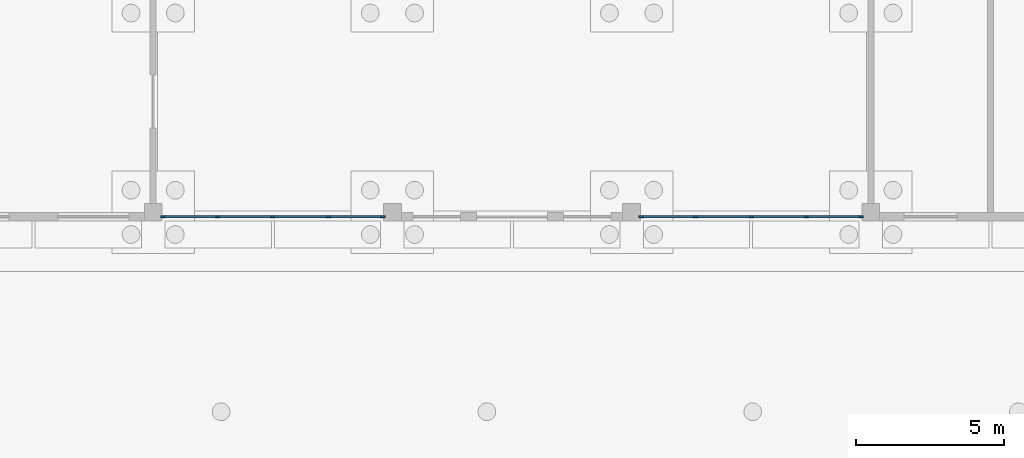
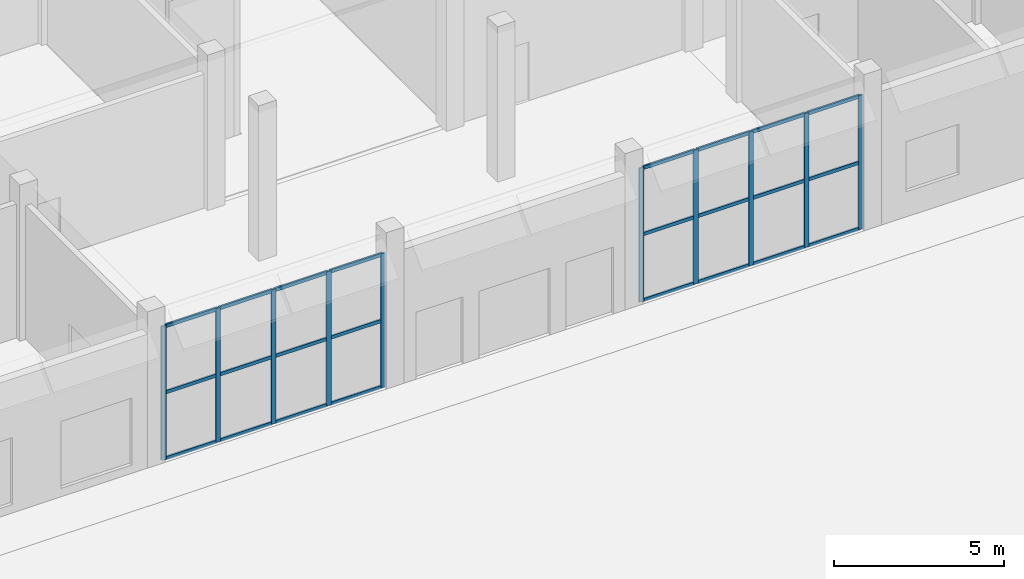
# One storey, part 11 of 44: 34 members, 2 elements without a shape of their own.
"""IFC4 building model written with IfcOpenShell, lengths in metres."""

from ifc_helpers import new_model, si_unit, direction, frame, origin, origin_2d, place, context, subcontext, project, spatial, rectangle, extrude, material, material_profile, profile_set, type_object, element, aggregate, save


model = new_model("IFC4")

# Units and contexts
model_context = context("Model", 3, precision=1e-05, world=origin(), true_north=direction((0.0, 1.0)))
body_context = subcontext(model_context, "Body", "Model", "MODEL_VIEW")
ifc_project = project(units=[si_unit("LENGTHUNIT", "METRE"), si_unit("AREAUNIT", "SQUARE_METRE"), si_unit("VOLUMEUNIT", "CUBIC_METRE"), si_unit("PLANEANGLEUNIT", "RADIAN"), si_unit("MASSUNIT", "GRAM", prefix="KILO")], contexts=[model_context])

# Site, building, storey
site_placement = place(None, origin())
site = spatial("IfcSite", under=ifc_project, at=site_placement, CompositionType="ELEMENT")
building_placement = place(site_placement, origin())
building = spatial("IfcBuilding", under=site, at=building_placement, Name="Frailejon Research Tower", CompositionType="ELEMENT")
storey_placement = place(building_placement, origin())
storey = spatial("IfcBuildingStorey", under=building, at=storey_placement, Name="L00", CompositionType="ELEMENT", Elevation=0.0)

# Curtain wall, members
ifc_material_1 = material(Name="Aluminium curtain wall", Category="aluminium")
curtain_wall_type = type_object("IfcCurtainWallType", Name="HC curtain wall system", PredefinedType="NOTDEFINED", material=ifc_material_1)
curtain_wall_1_placement = place(storey_placement, origin())
curtain_wall_1 = element("IfcCurtainWall", 1, at=curtain_wall_1_placement, inside=storey, type_object=curtain_wall_type, Name="HC curtain wall", PredefinedType="NOTDEFINED")
ifc_material_2 = material(Name="Aluminium extrusion", Category="aluminium")
ifc_material_profile_1 = material_profile(ifc_material_2, rectangle(XDim=0.06005859375, YDim=0.159912109375, at=origin_2d()), Name="HC curtain wall mullion 60x160")
ifc_profile_set_1 = profile_set([ifc_material_profile_1], Name="Aluminium extrusion")
member_type_1 = type_object("IfcMemberType", Name="HC curtain wall mullion 60x160", PredefinedType="MULLION", material=ifc_profile_set_1)
member_1_placement = place(storey_placement, frame((61.030029296875, -20.39990234375, 0.0), z_axis=(0.0, 0.0, 1.0), x_axis=(0.0, 1.0, 0.0)))
member_1 = element("IfcMember", 2, at=member_1_placement, type_object=member_type_1, Name="HCW1 mullion 1", PredefinedType="MULLION", context=body_context, shape_type="SweptSolid", body=[
    extrude(rectangle(XDim=0.06005859375, YDim=0.159912109375, at=origin_2d()), origin(), (0.0, 0.0, 1.0), 4.800048828125),
])
member_2_placement = place(storey_placement, frame((62.875, -20.39990234375, 0.0), z_axis=(0.0, 0.0, 1.0), x_axis=(0.0, 1.0, 0.0)))
member_2 = element("IfcMember", 3, at=member_2_placement, type_object=member_type_1, Name="HCW1 mullion 2", PredefinedType="MULLION", context=body_context, shape_type="SweptSolid", body=[
    extrude(rectangle(XDim=0.06005859375, YDim=0.159912109375, at=origin_2d()), origin(), (0.0, 0.0, 1.0), 4.800048828125),
])
member_3_placement = place(storey_placement, frame((64.75, -20.39990234375, 0.0), z_axis=(0.0, 0.0, 1.0), x_axis=(0.0, 1.0, 0.0)))
member_3 = element("IfcMember", 4, at=member_3_placement, type_object=member_type_1, Name="HCW1 mullion 3", PredefinedType="MULLION", context=body_context, shape_type="SweptSolid", body=[
    extrude(rectangle(XDim=0.06005859375, YDim=0.159912109375, at=origin_2d()), origin(), (0.0, 0.0, 1.0), 4.800048828125),
])
member_4_placement = place(storey_placement, frame((66.625, -20.39990234375, 0.0), z_axis=(0.0, 0.0, 1.0), x_axis=(0.0, 1.0, 0.0)))
member_4 = element("IfcMember", 5, at=member_4_placement, type_object=member_type_1, Name="HCW1 mullion 4", PredefinedType="MULLION", context=body_context, shape_type="SweptSolid", body=[
    extrude(rectangle(XDim=0.06005859375, YDim=0.159912109375, at=origin_2d()), origin(), (0.0, 0.0, 1.0), 4.800048828125),
])
member_5_placement = place(storey_placement, frame((68.469970703125, -20.39990234375, 0.0), z_axis=(0.0, 0.0, 1.0), x_axis=(0.0, 1.0, 0.0)))
member_5 = element("IfcMember", 6, at=member_5_placement, type_object=member_type_1, Name="HCW1 mullion 5", PredefinedType="MULLION", context=body_context, shape_type="SweptSolid", body=[
    extrude(rectangle(XDim=0.06005859375, YDim=0.159912109375, at=origin_2d()), origin(), (0.0, 0.0, 1.0), 4.800048828125),
])

curtain_wall_2_placement = place(storey_placement, origin())
curtain_wall_2 = element("IfcCurtainWall", 7, at=curtain_wall_2_placement, inside=storey, type_object=curtain_wall_type, Name="HC curtain wall", PredefinedType="NOTDEFINED")
member_6_placement = place(storey_placement, frame((77.22998046875, -20.39990234375, 0.0), z_axis=(0.0, 0.0, 1.0), x_axis=(0.0, 1.0, 0.0)))
member_6 = element("IfcMember", 8, at=member_6_placement, type_object=member_type_1, Name="HCW1 mullion 1", PredefinedType="MULLION", context=body_context, shape_type="SweptSolid", body=[
    extrude(rectangle(XDim=0.06005859375, YDim=0.159912109375, at=origin_2d()), origin(), (0.0, 0.0, 1.0), 4.800048828125),
])
member_7_placement = place(storey_placement, frame((79.074951171875, -20.39990234375, 0.0), z_axis=(0.0, 0.0, 1.0), x_axis=(0.0, 1.0, 0.0)))
member_7 = element("IfcMember", 9, at=member_7_placement, type_object=member_type_1, Name="HCW1 mullion 2", PredefinedType="MULLION", context=body_context, shape_type="SweptSolid", body=[
    extrude(rectangle(XDim=0.06005859375, YDim=0.159912109375, at=origin_2d()), origin(), (0.0, 0.0, 1.0), 4.800048828125),
])
member_8_placement = place(storey_placement, frame((80.949951171875, -20.39990234375, 0.0), z_axis=(0.0, 0.0, 1.0), x_axis=(0.0, 1.0, 0.0)))
member_8 = element("IfcMember", 10, at=member_8_placement, type_object=member_type_1, Name="HCW1 mullion 3", PredefinedType="MULLION", context=body_context, shape_type="SweptSolid", body=[
    extrude(rectangle(XDim=0.06005859375, YDim=0.159912109375, at=origin_2d()), origin(), (0.0, 0.0, 1.0), 4.800048828125),
])
member_9_placement = place(storey_placement, frame((82.824951171875, -20.39990234375, 0.0), z_axis=(0.0, 0.0, 1.0), x_axis=(0.0, 1.0, 0.0)))
member_9 = element("IfcMember", 11, at=member_9_placement, type_object=member_type_1, Name="HCW1 mullion 4", PredefinedType="MULLION", context=body_context, shape_type="SweptSolid", body=[
    extrude(rectangle(XDim=0.06005859375, YDim=0.159912109375, at=origin_2d()), origin(), (0.0, 0.0, 1.0), 4.800048828125),
])
member_10_placement = place(storey_placement, frame((84.669921875, -20.39990234375, 0.0), z_axis=(0.0, 0.0, 1.0), x_axis=(0.0, 1.0, 0.0)))
member_10 = element("IfcMember", 12, at=member_10_placement, type_object=member_type_1, Name="HCW1 mullion 5", PredefinedType="MULLION", context=body_context, shape_type="SweptSolid", body=[
    extrude(rectangle(XDim=0.06005859375, YDim=0.159912109375, at=origin_2d()), origin(), (0.0, 0.0, 1.0), 4.800048828125),
])

# Member
ifc_material_3 = material(Name="Aluminium extrusion", Category="aluminium")
ifc_material_profile_2 = material_profile(ifc_material_3, rectangle(XDim=0.06005859375, YDim=0.1201171875, at=origin_2d()), Name="HC curtain wall transom 60x120")
ifc_profile_set_2 = profile_set([ifc_material_profile_2], Name="Aluminium extrusion")
member_type_2 = type_object("IfcMemberType", Name="HC curtain wall transom 60x120", PredefinedType="USERDEFINED", material=ifc_profile_set_2)
member_11_placement = place(storey_placement, frame((61.06005859375, -20.39990234375, 0.030029296875), z_axis=(1.0, 0.0, 0.0), x_axis=(0.0, 1.0, 0.0)))
member_11 = element("IfcMember", 13, at=member_11_placement, type_object=member_type_2, Name="HCW1 transom 1.1", ObjectType="TRANSOM", PredefinedType="USERDEFINED", context=body_context, shape_type="SweptSolid", body=[
    extrude(rectangle(XDim=0.06005859375, YDim=0.1201171875, at=origin_2d()), origin(), (0.0, 0.0, 1.0), 1.784912109375),
])

member_12_placement = place(storey_placement, frame((61.06005859375, -20.39990234375, 2.39990234375), z_axis=(1.0, 0.0, 0.0), x_axis=(0.0, 1.0, 0.0)))
member_12 = element("IfcMember", 14, at=member_12_placement, type_object=member_type_2, Name="HCW1 transom 1.2", ObjectType="TRANSOM", PredefinedType="USERDEFINED", context=body_context, shape_type="SweptSolid", body=[
    extrude(rectangle(XDim=0.06005859375, YDim=0.1201171875, at=origin_2d()), origin(), (0.0, 0.0, 1.0), 1.784912109375),
])

member_13_placement = place(storey_placement, frame((61.06005859375, -20.39990234375, 4.77001953125), z_axis=(1.0, 0.0, 0.0), x_axis=(0.0, 1.0, 0.0)))
member_13 = element("IfcMember", 15, at=member_13_placement, type_object=member_type_2, Name="HCW1 transom 1.3", ObjectType="TRANSOM", PredefinedType="USERDEFINED", context=body_context, shape_type="SweptSolid", body=[
    extrude(rectangle(XDim=0.06005859375, YDim=0.1201171875, at=origin_2d()), origin(), (0.0, 0.0, 1.0), 1.784912109375),
])

member_14_placement = place(storey_placement, frame((62.905029296875, -20.39990234375, 0.030029296875), z_axis=(1.0, 0.0, 0.0), x_axis=(0.0, 1.0, 0.0)))
member_14 = element("IfcMember", 16, at=member_14_placement, type_object=member_type_2, Name="HCW1 transom 2.1", ObjectType="TRANSOM", PredefinedType="USERDEFINED", context=body_context, shape_type="SweptSolid", body=[
    extrude(rectangle(XDim=0.06005859375, YDim=0.1201171875, at=origin_2d()), origin(), (0.0, 0.0, 1.0), 1.81494140625),
])

member_15_placement = place(storey_placement, frame((62.905029296875, -20.39990234375, 2.39990234375), z_axis=(1.0, 0.0, 0.0), x_axis=(0.0, 1.0, 0.0)))
member_15 = element("IfcMember", 17, at=member_15_placement, type_object=member_type_2, Name="HCW1 transom 2.2", ObjectType="TRANSOM", PredefinedType="USERDEFINED", context=body_context, shape_type="SweptSolid", body=[
    extrude(rectangle(XDim=0.06005859375, YDim=0.1201171875, at=origin_2d()), origin(), (0.0, 0.0, 1.0), 1.81494140625),
])

member_16_placement = place(storey_placement, frame((62.905029296875, -20.39990234375, 4.77001953125), z_axis=(1.0, 0.0, 0.0), x_axis=(0.0, 1.0, 0.0)))
member_16 = element("IfcMember", 18, at=member_16_placement, type_object=member_type_2, Name="HCW1 transom 2.3", ObjectType="TRANSOM", PredefinedType="USERDEFINED", context=body_context, shape_type="SweptSolid", body=[
    extrude(rectangle(XDim=0.06005859375, YDim=0.1201171875, at=origin_2d()), origin(), (0.0, 0.0, 1.0), 1.81494140625),
])

member_17_placement = place(storey_placement, frame((64.780029296875, -20.39990234375, 0.030029296875), z_axis=(1.0, 0.0, 0.0), x_axis=(0.0, 1.0, 0.0)))
member_17 = element("IfcMember", 19, at=member_17_placement, type_object=member_type_2, Name="HCW1 transom 3.1", ObjectType="TRANSOM", PredefinedType="USERDEFINED", context=body_context, shape_type="SweptSolid", body=[
    extrude(rectangle(XDim=0.06005859375, YDim=0.1201171875, at=origin_2d()), origin(), (0.0, 0.0, 1.0), 1.81494140625),
])

member_18_placement = place(storey_placement, frame((64.780029296875, -20.39990234375, 2.39990234375), z_axis=(1.0, 0.0, 0.0), x_axis=(0.0, 1.0, 0.0)))
member_18 = element("IfcMember", 20, at=member_18_placement, type_object=member_type_2, Name="HCW1 transom 3.2", ObjectType="TRANSOM", PredefinedType="USERDEFINED", context=body_context, shape_type="SweptSolid", body=[
    extrude(rectangle(XDim=0.06005859375, YDim=0.1201171875, at=origin_2d()), origin(), (0.0, 0.0, 1.0), 1.81494140625),
])

member_19_placement = place(storey_placement, frame((64.780029296875, -20.39990234375, 4.77001953125), z_axis=(1.0, 0.0, 0.0), x_axis=(0.0, 1.0, 0.0)))
member_19 = element("IfcMember", 21, at=member_19_placement, type_object=member_type_2, Name="HCW1 transom 3.3", ObjectType="TRANSOM", PredefinedType="USERDEFINED", context=body_context, shape_type="SweptSolid", body=[
    extrude(rectangle(XDim=0.06005859375, YDim=0.1201171875, at=origin_2d()), origin(), (0.0, 0.0, 1.0), 1.81494140625),
])

member_20_placement = place(storey_placement, frame((66.655029296875, -20.39990234375, 0.030029296875), z_axis=(1.0, 0.0, 0.0), x_axis=(0.0, 1.0, 0.0)))
member_20 = element("IfcMember", 22, at=member_20_placement, type_object=member_type_2, Name="HCW1 transom 4.1", ObjectType="TRANSOM", PredefinedType="USERDEFINED", context=body_context, shape_type="SweptSolid", body=[
    extrude(rectangle(XDim=0.06005859375, YDim=0.1201171875, at=origin_2d()), origin(), (0.0, 0.0, 1.0), 1.784912109375),
])

member_21_placement = place(storey_placement, frame((66.655029296875, -20.39990234375, 2.39990234375), z_axis=(1.0, 0.0, 0.0), x_axis=(0.0, 1.0, 0.0)))
member_21 = element("IfcMember", 23, at=member_21_placement, type_object=member_type_2, Name="HCW1 transom 4.2", ObjectType="TRANSOM", PredefinedType="USERDEFINED", context=body_context, shape_type="SweptSolid", body=[
    extrude(rectangle(XDim=0.06005859375, YDim=0.1201171875, at=origin_2d()), origin(), (0.0, 0.0, 1.0), 1.784912109375),
])

member_22_placement = place(storey_placement, frame((66.655029296875, -20.39990234375, 4.77001953125), z_axis=(1.0, 0.0, 0.0), x_axis=(0.0, 1.0, 0.0)))
member_22 = element("IfcMember", 24, at=member_22_placement, type_object=member_type_2, Name="HCW1 transom 4.3", ObjectType="TRANSOM", PredefinedType="USERDEFINED", context=body_context, shape_type="SweptSolid", body=[
    extrude(rectangle(XDim=0.06005859375, YDim=0.1201171875, at=origin_2d()), origin(), (0.0, 0.0, 1.0), 1.784912109375),
])

aggregate(curtain_wall_1, [member_1, member_2, member_3, member_4, member_5, member_11, member_12, member_13, member_14, member_15, member_16, member_17, member_18, member_19, member_20, member_21, member_22])

member_23_placement = place(storey_placement, frame((77.260009765625, -20.39990234375, 0.030029296875), z_axis=(1.0, 0.0, 0.0), x_axis=(0.0, 1.0, 0.0)))
member_23 = element("IfcMember", 25, at=member_23_placement, type_object=member_type_2, Name="HCW1 transom 1.1", ObjectType="TRANSOM", PredefinedType="USERDEFINED", context=body_context, shape_type="SweptSolid", body=[
    extrude(rectangle(XDim=0.06005859375, YDim=0.1201171875, at=origin_2d()), origin(), (0.0, 0.0, 1.0), 1.784912109375),
])

member_24_placement = place(storey_placement, frame((77.260009765625, -20.39990234375, 2.39990234375), z_axis=(1.0, 0.0, 0.0), x_axis=(0.0, 1.0, 0.0)))
member_24 = element("IfcMember", 26, at=member_24_placement, type_object=member_type_2, Name="HCW1 transom 1.2", ObjectType="TRANSOM", PredefinedType="USERDEFINED", context=body_context, shape_type="SweptSolid", body=[
    extrude(rectangle(XDim=0.06005859375, YDim=0.1201171875, at=origin_2d()), origin(), (0.0, 0.0, 1.0), 1.784912109375),
])

member_25_placement = place(storey_placement, frame((77.260009765625, -20.39990234375, 4.77001953125), z_axis=(1.0, 0.0, 0.0), x_axis=(0.0, 1.0, 0.0)))
member_25 = element("IfcMember", 27, at=member_25_placement, type_object=member_type_2, Name="HCW1 transom 1.3", ObjectType="TRANSOM", PredefinedType="USERDEFINED", context=body_context, shape_type="SweptSolid", body=[
    extrude(rectangle(XDim=0.06005859375, YDim=0.1201171875, at=origin_2d()), origin(), (0.0, 0.0, 1.0), 1.784912109375),
])

member_26_placement = place(storey_placement, frame((79.10498046875, -20.39990234375, 0.030029296875), z_axis=(1.0, 0.0, 0.0), x_axis=(0.0, 1.0, 0.0)))
member_26 = element("IfcMember", 28, at=member_26_placement, type_object=member_type_2, Name="HCW1 transom 2.1", ObjectType="TRANSOM", PredefinedType="USERDEFINED", context=body_context, shape_type="SweptSolid", body=[
    extrude(rectangle(XDim=0.06005859375, YDim=0.1201171875, at=origin_2d()), origin(), (0.0, 0.0, 1.0), 1.81494140625),
])

member_27_placement = place(storey_placement, frame((79.10498046875, -20.39990234375, 2.39990234375), z_axis=(1.0, 0.0, 0.0), x_axis=(0.0, 1.0, 0.0)))
member_27 = element("IfcMember", 29, at=member_27_placement, type_object=member_type_2, Name="HCW1 transom 2.2", ObjectType="TRANSOM", PredefinedType="USERDEFINED", context=body_context, shape_type="SweptSolid", body=[
    extrude(rectangle(XDim=0.06005859375, YDim=0.1201171875, at=origin_2d()), origin(), (0.0, 0.0, 1.0), 1.81494140625),
])

member_28_placement = place(storey_placement, frame((79.10498046875, -20.39990234375, 4.77001953125), z_axis=(1.0, 0.0, 0.0), x_axis=(0.0, 1.0, 0.0)))
member_28 = element("IfcMember", 30, at=member_28_placement, type_object=member_type_2, Name="HCW1 transom 2.3", ObjectType="TRANSOM", PredefinedType="USERDEFINED", context=body_context, shape_type="SweptSolid", body=[
    extrude(rectangle(XDim=0.06005859375, YDim=0.1201171875, at=origin_2d()), origin(), (0.0, 0.0, 1.0), 1.81494140625),
])

member_29_placement = place(storey_placement, frame((80.97998046875, -20.39990234375, 0.030029296875), z_axis=(1.0, 0.0, 0.0), x_axis=(0.0, 1.0, 0.0)))
member_29 = element("IfcMember", 31, at=member_29_placement, type_object=member_type_2, Name="HCW1 transom 3.1", ObjectType="TRANSOM", PredefinedType="USERDEFINED", context=body_context, shape_type="SweptSolid", body=[
    extrude(rectangle(XDim=0.06005859375, YDim=0.1201171875, at=origin_2d()), origin(), (0.0, 0.0, 1.0), 1.81494140625),
])

member_30_placement = place(storey_placement, frame((80.97998046875, -20.39990234375, 2.39990234375), z_axis=(1.0, 0.0, 0.0), x_axis=(0.0, 1.0, 0.0)))
member_30 = element("IfcMember", 32, at=member_30_placement, type_object=member_type_2, Name="HCW1 transom 3.2", ObjectType="TRANSOM", PredefinedType="USERDEFINED", context=body_context, shape_type="SweptSolid", body=[
    extrude(rectangle(XDim=0.06005859375, YDim=0.1201171875, at=origin_2d()), origin(), (0.0, 0.0, 1.0), 1.81494140625),
])

member_31_placement = place(storey_placement, frame((80.97998046875, -20.39990234375, 4.77001953125), z_axis=(1.0, 0.0, 0.0), x_axis=(0.0, 1.0, 0.0)))
member_31 = element("IfcMember", 33, at=member_31_placement, type_object=member_type_2, Name="HCW1 transom 3.3", ObjectType="TRANSOM", PredefinedType="USERDEFINED", context=body_context, shape_type="SweptSolid", body=[
    extrude(rectangle(XDim=0.06005859375, YDim=0.1201171875, at=origin_2d()), origin(), (0.0, 0.0, 1.0), 1.81494140625),
])

member_32_placement = place(storey_placement, frame((82.85498046875, -20.39990234375, 0.030029296875), z_axis=(1.0, 0.0, 0.0), x_axis=(0.0, 1.0, 0.0)))
member_32 = element("IfcMember", 34, at=member_32_placement, type_object=member_type_2, Name="HCW1 transom 4.1", ObjectType="TRANSOM", PredefinedType="USERDEFINED", context=body_context, shape_type="SweptSolid", body=[
    extrude(rectangle(XDim=0.06005859375, YDim=0.1201171875, at=origin_2d()), origin(), (0.0, 0.0, 1.0), 1.784912109375),
])

member_33_placement = place(storey_placement, frame((82.85498046875, -20.39990234375, 2.39990234375), z_axis=(1.0, 0.0, 0.0), x_axis=(0.0, 1.0, 0.0)))
member_33 = element("IfcMember", 35, at=member_33_placement, type_object=member_type_2, Name="HCW1 transom 4.2", ObjectType="TRANSOM", PredefinedType="USERDEFINED", context=body_context, shape_type="SweptSolid", body=[
    extrude(rectangle(XDim=0.06005859375, YDim=0.1201171875, at=origin_2d()), origin(), (0.0, 0.0, 1.0), 1.784912109375),
])

member_34_placement = place(storey_placement, frame((82.85498046875, -20.39990234375, 4.77001953125), z_axis=(1.0, 0.0, 0.0), x_axis=(0.0, 1.0, 0.0)))
member_34 = element("IfcMember", 36, at=member_34_placement, type_object=member_type_2, Name="HCW1 transom 4.3", ObjectType="TRANSOM", PredefinedType="USERDEFINED", context=body_context, shape_type="SweptSolid", body=[
    extrude(rectangle(XDim=0.06005859375, YDim=0.1201171875, at=origin_2d()), origin(), (0.0, 0.0, 1.0), 1.784912109375),
])

aggregate(curtain_wall_2, [member_6, member_7, member_8, member_9, member_10, member_23, member_24, member_25, member_26, member_27, member_28, member_29, member_30, member_31, member_32, member_33, member_34])

save(model, "model.ifc")
